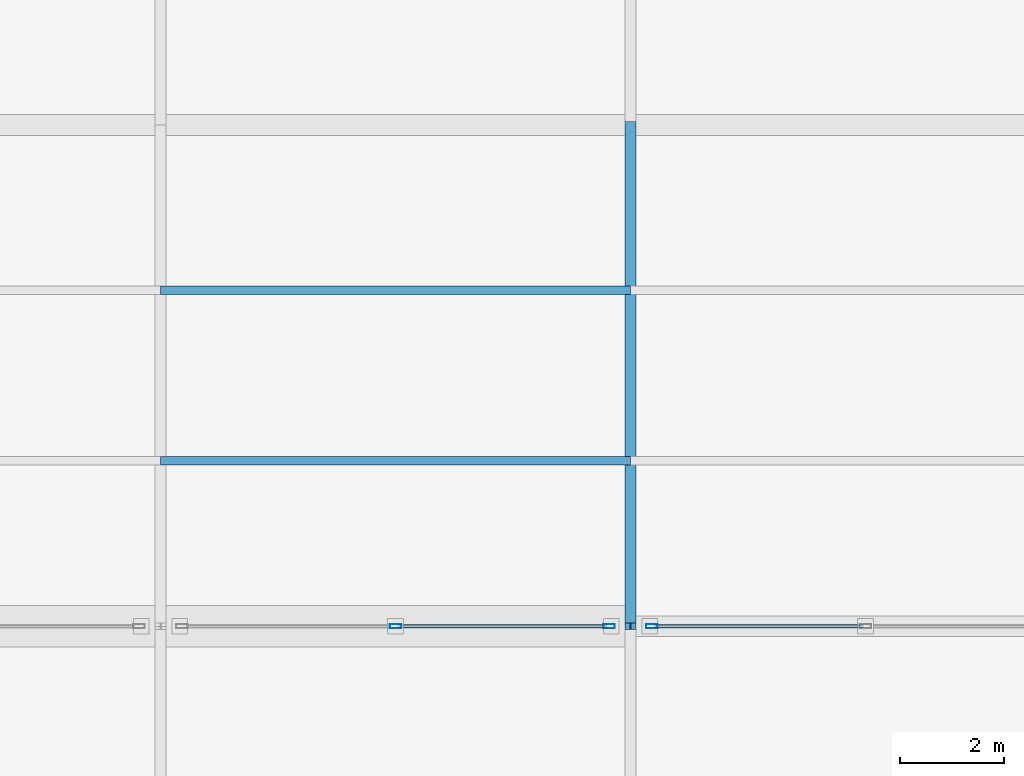
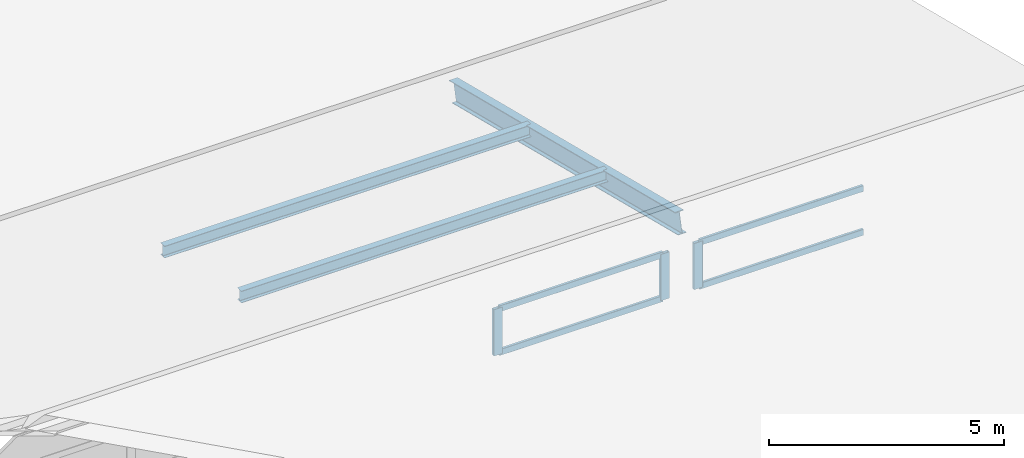
# One storey, part 16 of 36: 10 members, 2 elements without a shape of their own.
"""IFC4 building model written with IfcOpenShell, lengths in metres."""

from ifc_helpers import new_model, si_unit, direction, frame, origin, origin_2d, place, context, subcontext, project, spatial, hollow_rectangle, i_section, extrude, material, layer, layer_set, material_profile, profile_set, type_object, element, aggregate, save


model = new_model("IFC4")

# Units and contexts
model_context = context("Model", 3, precision=1e-05, world=origin(), true_north=direction((0.0, 1.0)))
body_context = subcontext(model_context, "Body", "Model", "MODEL_VIEW")
ifc_project = project(units=[si_unit("LENGTHUNIT", "METRE"), si_unit("AREAUNIT", "SQUARE_METRE"), si_unit("VOLUMEUNIT", "CUBIC_METRE"), si_unit("PLANEANGLEUNIT", "RADIAN"), si_unit("MASSUNIT", "GRAM", prefix="KILO")], contexts=[model_context])

# Site, building, storey
site_placement = place(None, origin())
site = spatial("IfcSite", under=ifc_project, at=site_placement, CompositionType="ELEMENT")
building_placement = place(site_placement, origin())
building = spatial("IfcBuilding", under=site, at=building_placement, Name="Qorvath Tower", CompositionType="ELEMENT")
storey_placement = place(building_placement, frame((0.0, 0.0, 27.0)))
storey = spatial("IfcBuildingStorey", under=building, at=storey_placement, Name="L05", CompositionType="ELEMENT", Elevation=27.0)

# Curtain wall, members
ifc_material_1 = material(Name="Anodised aluminium and triple low-E glass", Category="aluminium")
ifc_layer = layer(ifc_material_1, 0.179931640625)
ifc_layer_set = layer_set([ifc_layer], Name="CW-SYS-7")
curtain_wall_type = type_object("IfcCurtainWallType", Name="CW-SYS-7", PredefinedType="NOTDEFINED", material=ifc_layer_set)
curtain_wall_1_placement = place(storey_placement, origin())
curtain_wall_1 = element("IfcCurtainWall", 1, at=curtain_wall_1_placement, inside=storey, type_object=curtain_wall_type, Name="Curtain Wall CW-7 CW-LIB-SKY-3-4", PredefinedType="NOTDEFINED")
ifc_material_2 = material(Name="Anodised aluminium 6063-T6", Category="aluminium")
ifc_material_profile_1 = material_profile(ifc_material_2, hollow_rectangle(XDim=0.080078125, YDim=0.219970703125, WallThickness=0.00439453125, InnerFilletRadius=0.00439453125, OuterFilletRadius=0.009033203125, at=origin_2d()), Name="CWM LIB 220x80")
ifc_profile_set_1 = profile_set([ifc_material_profile_1], Name="Anodised aluminium 6063-T6")
member_type_1 = type_object("IfcMemberType", Name="CWM-LIB", PredefinedType="MULLION", material=ifc_profile_set_1)
member_1_placement = place(storey_placement, frame((63.89990234375, 9.60009765625, 0.0), z_axis=(0.0, 0.0, 1.0), x_axis=(0.0, 1.0, 0.0)))
member_1 = element("IfcMember", 2, at=member_1_placement, type_object=member_type_1, Name="CW-7 mullion 2", PredefinedType="MULLION", context=body_context, shape_type="SweptSolid", body=[
    extrude(hollow_rectangle(XDim=0.080078125, YDim=0.219970703125, WallThickness=0.00439453125, InnerFilletRadius=0.00439453125, OuterFilletRadius=0.009033203125, at=origin_2d()), origin(), (0.0, 0.0, 1.0), 1.199951171875),
])
member_2_placement = place(storey_placement, frame((67.989990234375, 9.60009765625, 0.0), z_axis=(0.0, 0.0, 1.0), x_axis=(0.0, 1.0, 0.0)))
member_2 = element("IfcMember", 3, at=member_2_placement, type_object=member_type_1, Name="CW-7 mullion 3", PredefinedType="MULLION", context=body_context, shape_type="SweptSolid", body=[
    extrude(hollow_rectangle(XDim=0.080078125, YDim=0.219970703125, WallThickness=0.00439453125, InnerFilletRadius=0.00439453125, OuterFilletRadius=0.009033203125, at=origin_2d()), origin(), (0.0, 0.0, 1.0), 1.199951171875),
])

# Curtain wall, member
curtain_wall_2_placement = place(storey_placement, origin())
curtain_wall_2 = element("IfcCurtainWall", 4, at=curtain_wall_2_placement, inside=storey, type_object=curtain_wall_type, Name="Curtain Wall CW-7 CW-LIB-SKY-3-5", PredefinedType="NOTDEFINED")
member_3_placement = place(storey_placement, frame((68.81005859375, 9.60009765625, 0.0), z_axis=(0.0, 0.0, 1.0), x_axis=(0.0, 1.0, 0.0)))
member_3 = element("IfcMember", 5, at=member_3_placement, type_object=member_type_1, Name="CW-7 mullion 1", PredefinedType="MULLION", context=body_context, shape_type="SweptSolid", body=[
    extrude(hollow_rectangle(XDim=0.080078125, YDim=0.219970703125, WallThickness=0.00439453125, InnerFilletRadius=0.00439453125, OuterFilletRadius=0.009033203125, at=origin_2d()), origin(), (0.0, 0.0, 1.0), 1.199951171875),
])

# Member
ifc_material_3 = material(Name="Anodised aluminium 6063-T6", Category="aluminium")
ifc_material_profile_2 = material_profile(ifc_material_3, hollow_rectangle(XDim=0.06494140625, YDim=0.159912109375, WallThickness=0.00341796875, InnerFilletRadius=0.00341796875, OuterFilletRadius=0.007080078125, at=origin_2d()), Name="CWT 160x65")
ifc_profile_set_2 = profile_set([ifc_material_profile_2], Name="Anodised aluminium 6063-T6")
member_type_2 = type_object("IfcMemberType", Name="CWT-160", PredefinedType="USERDEFINED", material=ifc_profile_set_2)
member_4_placement = place(storey_placement, frame((63.93994140625, 9.60009765625, 0.032470703125), z_axis=(1.0, 0.0, 0.0), x_axis=(0.0, 1.0, 0.0)))
member_4 = element("IfcMember", 6, at=member_4_placement, type_object=member_type_2, Name="CW-7 transom 2.1", ObjectType="TRANSOM", PredefinedType="USERDEFINED", context=body_context, shape_type="SweptSolid", body=[
    extrude(hollow_rectangle(XDim=0.06494140625, YDim=0.159912109375, WallThickness=0.00341796875, InnerFilletRadius=0.00341796875, OuterFilletRadius=0.007080078125, at=origin_2d()), origin(), (0.0, 0.0, 1.0), 4.010009765625),
])

member_5_placement = place(storey_placement, frame((63.93994140625, 9.60009765625, 1.16748046875), z_axis=(1.0, 0.0, 0.0), x_axis=(0.0, 1.0, 0.0)))
member_5 = element("IfcMember", 7, at=member_5_placement, type_object=member_type_2, Name="CW-7 transom 2.2", ObjectType="TRANSOM", PredefinedType="USERDEFINED", context=body_context, shape_type="SweptSolid", body=[
    extrude(hollow_rectangle(XDim=0.06494140625, YDim=0.159912109375, WallThickness=0.00341796875, InnerFilletRadius=0.00341796875, OuterFilletRadius=0.007080078125, at=origin_2d()), origin(), (0.0, 0.0, 1.0), 4.010009765625),
])

aggregate(curtain_wall_1, [member_1, member_2, member_4, member_5])

member_6_placement = place(storey_placement, frame((68.85009765625, 9.60009765625, 0.032470703125), z_axis=(1.0, 0.0, 0.0), x_axis=(0.0, 1.0, 0.0)))
member_6 = element("IfcMember", 8, at=member_6_placement, type_object=member_type_2, Name="CW-7 transom 1.1", ObjectType="TRANSOM", PredefinedType="USERDEFINED", context=body_context, shape_type="SweptSolid", body=[
    extrude(hollow_rectangle(XDim=0.06494140625, YDim=0.159912109375, WallThickness=0.00341796875, InnerFilletRadius=0.00341796875, OuterFilletRadius=0.007080078125, at=origin_2d()), origin(), (0.0, 0.0, 1.0), 4.010009765625),
])

member_7_placement = place(storey_placement, frame((68.85009765625, 9.60009765625, 1.16748046875), z_axis=(1.0, 0.0, 0.0), x_axis=(0.0, 1.0, 0.0)))
member_7 = element("IfcMember", 9, at=member_7_placement, type_object=member_type_2, Name="CW-7 transom 1.2", ObjectType="TRANSOM", PredefinedType="USERDEFINED", context=body_context, shape_type="SweptSolid", body=[
    extrude(hollow_rectangle(XDim=0.06494140625, YDim=0.159912109375, WallThickness=0.00341796875, InnerFilletRadius=0.00341796875, OuterFilletRadius=0.007080078125, at=origin_2d()), origin(), (0.0, 0.0, 1.0), 4.010009765625),
])

aggregate(curtain_wall_2, [member_3, member_6, member_7])

# Members
ifc_material_4 = material(Name="Steel ASTM A992 Grade 50", Category="steel")
ifc_material_profile_3 = material_profile(ifc_material_4, i_section(OverallWidth=0.1650390625, OverallDepth=0.31005859375, WebThickness=0.005859375, FlangeThickness=0.009765625, FilletRadius=0.010009765625, at=origin_2d()), Name="W12x26")
ifc_profile_set_3 = profile_set([ifc_material_profile_3], Name="Steel ASTM A992 Grade 50")
member_type_3 = type_object("IfcMemberType", Name="MEM-PR1", PredefinedType="PURLIN", material=ifc_profile_set_3)
for number, where, z_axis, x_axis, name in (
    (10, (59.39990234375, 12.76806640625, 1.1708984375), (1.0, 0.0, 0.0), (0.0, 1.0, 0.0), "Library Folded Roof Purlin F6-P1-4"),
    (11, (59.39990234375, 16.031982421875, 0.357177734375), (1.0, 0.0, 0.0), (0.0, 1.0, 0.0), "Library Folded Roof Purlin F6-P2-4"),
):
    element("IfcMember", number, at=place(storey_placement, frame(where, z_axis=z_axis, x_axis=x_axis)), inside=storey, type_object=member_type_3, Name=name, PredefinedType="PURLIN", context=body_context, shape_type="SweptSolid", body=[
        extrude(i_section(OverallWidth=0.1650390625, OverallDepth=0.31005859375, WebThickness=0.005859375, FlangeThickness=0.009765625, FilletRadius=0.010009765625, at=origin_2d()), origin(), (0.0, 0.0, 1.0), 9.0),
    ])
ifc_material_5 = material(Name="Steel ASTM A992 Grade 50", Category="steel")
ifc_material_profile_4 = material_profile(ifc_material_5, i_section(OverallWidth=0.208984375, OverallDepth=0.532958984375, WebThickness=0.01025390625, FlangeThickness=0.015625, FilletRadius=0.013916015625, at=origin_2d()), Name="W21x62")
ifc_profile_set_4 = profile_set([ifc_material_profile_4], Name="Steel ASTM A992 Grade 50")
member_type_4 = type_object("IfcMemberType", Name="MEM-RF1", PredefinedType="RAFTER", material=ifc_profile_set_4)
member_8_placement = place(storey_placement, frame((68.39990234375, 9.60009765625, 1.829345703125), z_axis=(0.0, 0.970294720706, -0.241925928684), x_axis=(-1.0, 0.0, 0.0)))
element("IfcMember", 12, at=member_8_placement, inside=storey, type_object=member_type_4, Name="Library Folded Roof Rafter F6-5", PredefinedType="RAFTER", context=body_context, shape_type="SweptSolid", body=[
    extrude(i_section(OverallWidth=0.208984375, OverallDepth=0.532958984375, WebThickness=0.01025390625, FlangeThickness=0.015625, FilletRadius=0.013916015625, at=origin_2d()), origin(), (0.0, 0.0, 1.0), 9.893798828125),
])

save(model, "model.ifc")
